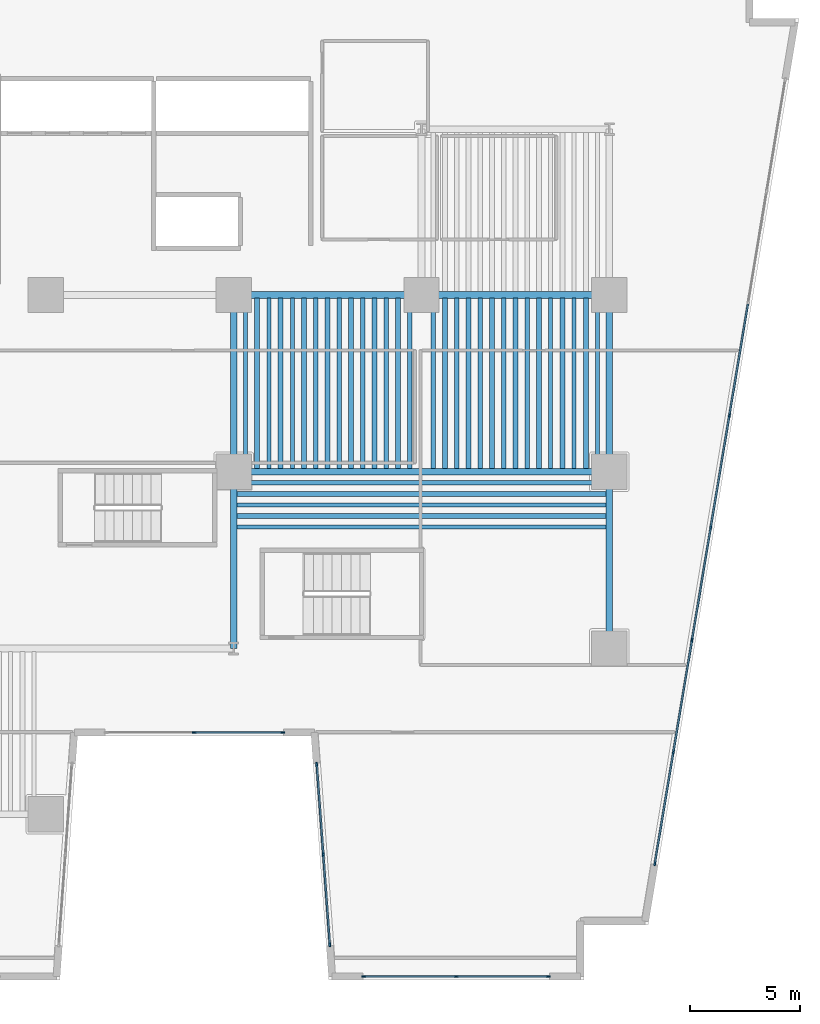
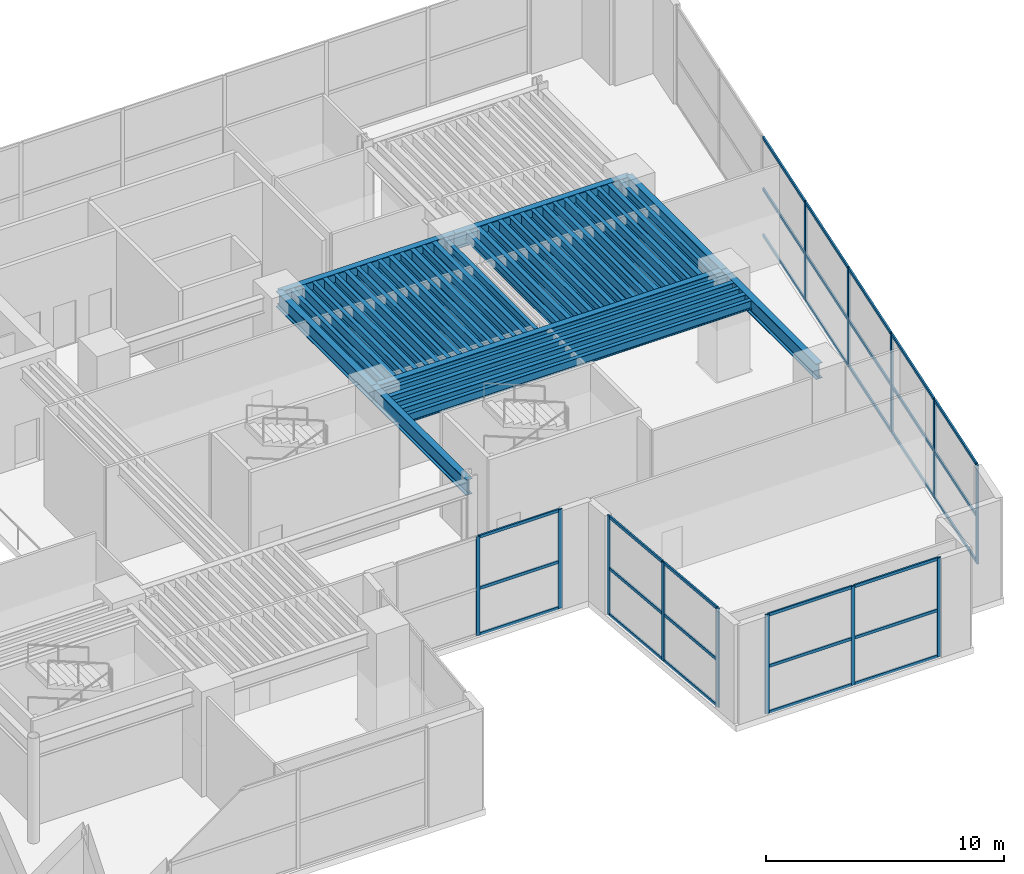
# One storey, part 4 of 17: 43 members, 42 beams, 4 elements without a shape of their own.
"""IFC4 building model written with IfcOpenShell, lengths in metres."""

from ifc_helpers import new_model, si_unit, direction, frame, origin, origin_2d, place, context, subcontext, project, spatial, rectangle, i_section, extrude, material, layer, layer_set, material_profile, profile_set, type_object, element, aggregate, save


model = new_model("IFC4")

# Units and contexts
model_context = context("Model", 3, precision=1e-05, world=origin(), true_north=direction((0.0, 1.0)))
body_context = subcontext(model_context, "Body", "Model", "MODEL_VIEW")
ifc_project = project(units=[si_unit("LENGTHUNIT", "METRE"), si_unit("AREAUNIT", "SQUARE_METRE"), si_unit("VOLUMEUNIT", "CUBIC_METRE"), si_unit("PLANEANGLEUNIT", "RADIAN"), si_unit("MASSUNIT", "GRAM", prefix="KILO")], contexts=[model_context])

# Site, building, storey
site_placement = place(None, origin())
site = spatial("IfcSite", under=ifc_project, at=site_placement, CompositionType="ELEMENT")
building_placement = place(site_placement, origin())
building = spatial("IfcBuilding", under=site, at=building_placement, Name="Caeloran Harvest Quay", CompositionType="ELEMENT")
storey_placement = place(building_placement, frame((0.0, 0.0, 5.39990234375)))
storey = spatial("IfcBuildingStorey", under=building, at=storey_placement, Name="L02", CompositionType="ELEMENT", Elevation=5.39990234375)

# Beams
ifc_material_1 = material(Name="Steel S355J2", Category="steel")
ifc_material_profile_1 = material_profile(ifc_material_1, i_section(OverallWidth=0.300048828125, OverallDepth=0.800048828125, WebThickness=0.017578125, FlangeThickness=0.032958984375, FilletRadius=0.030029296875, at=origin_2d()), Name="HE 800 B")
ifc_profile_set_1 = profile_set([ifc_material_profile_1], Name="Steel S355J2")
beam_type_1 = type_object("IfcBeamType", Name="BM-PG-1-HE_800_B", PredefinedType="BEAM", material=ifc_profile_set_1)
beam_placement = place(storey_placement, frame((34.0, 23.0, 4.68017578125), z_axis=(1.0, 0.0, 0.0), x_axis=(0.0, 1.0, 0.0)))
element("IfcBeam", 1, at=beam_placement, inside=storey, type_object=beam_type_1, Name="L02 Primary East-West Girder Y=23.0", PredefinedType="BEAM", context=body_context, shape_type="SweptSolid", body=[
    extrude(i_section(OverallWidth=0.300048828125, OverallDepth=0.800048828125, WebThickness=0.017578125, FlangeThickness=0.032958984375, FilletRadius=0.030029296875, at=origin_2d()), origin(), (0.0, 0.0, 1.0), 17.0),
])
for number, where, z_axis, x_axis, name in (
    (2, (34.0, 31.0, 4.68017578125), (1.0, 0.0, 0.0), (0.0, 1.0, 0.0), "L02 Primary East-West Girder Y=31.0"),
    (3, (42.5, 31.0, 4.68017578125), (1.0, 0.0, 0.0), (0.0, 1.0, 0.0), "L02 Primary East-West Girder Y=31.0"),
):
    element("IfcBeam", number, at=place(storey_placement, frame(where, z_axis=z_axis, x_axis=x_axis)), inside=storey, type_object=beam_type_1, Name=name, PredefinedType="BEAM", context=body_context, shape_type="SweptSolid", body=[
        extrude(i_section(OverallWidth=0.300048828125, OverallDepth=0.800048828125, WebThickness=0.017578125, FlangeThickness=0.032958984375, FilletRadius=0.030029296875, at=origin_2d()), origin(), (0.0, 0.0, 1.0), 8.5),
    ])
for number, where, z_axis, x_axis, name in (
    (4, (34.0, 15.0, 4.68017578125), (0.0, 1.0, 0.0), (-1.0, 0.0, 0.0), "L02 Primary North-South Girder X=34.0"),
    (5, (34.0, 23.0, 4.68017578125), (0.0, 1.0, 0.0), (-1.0, 0.0, 0.0), "L02 Primary North-South Girder X=34.0"),
    (6, (51.0, 15.0, 4.68017578125), (0.0, 1.0, 0.0), (-1.0, 0.0, 0.0), "L02 Primary North-South Girder X=51.0"),
    (7, (51.0, 23.0, 4.68017578125), (0.0, 1.0, 0.0), (-1.0, 0.0, 0.0), "L02 Primary North-South Girder X=51.0"),
):
    element("IfcBeam", number, at=place(storey_placement, frame(where, z_axis=z_axis, x_axis=x_axis)), inside=storey, type_object=beam_type_1, Name=name, PredefinedType="BEAM", context=body_context, shape_type="SweptSolid", body=[
        extrude(i_section(OverallWidth=0.300048828125, OverallDepth=0.800048828125, WebThickness=0.017578125, FlangeThickness=0.032958984375, FilletRadius=0.030029296875, at=origin_2d()), origin(), (0.0, 0.0, 1.0), 8.0),
    ])
ifc_material_profile_2 = material_profile(ifc_material_1, i_section(OverallWidth=0.219970703125, OverallDepth=0.60009765625, WebThickness=0.011962890625, FlangeThickness=0.01904296875, FilletRadius=0.02392578125, at=origin_2d()), Name="IPE 600")
ifc_profile_set_2 = profile_set([ifc_material_profile_2], Name="Steel S355J2")
beam_type_2 = type_object("IfcBeamType", Name="BM-SB-1-IPE_600", PredefinedType="JOIST", material=ifc_profile_set_2)
for number, where, z_axis, x_axis, name in (
    (8, (35.0625, 23.14501953125, 4.780029296875), (0.0, 1.0, 0.0), (-1.0, 0.0, 0.0), "L02 Secondary Composite Joist"),
    (9, (36.125, 23.14501953125, 4.780029296875), (0.0, 1.0, 0.0), (-1.0, 0.0, 0.0), "L02 Secondary Composite Joist"),
    (10, (37.1875, 23.14501953125, 4.780029296875), (0.0, 1.0, 0.0), (-1.0, 0.0, 0.0), "L02 Secondary Composite Joist"),
    (11, (38.25, 23.14501953125, 4.780029296875), (0.0, 1.0, 0.0), (-1.0, 0.0, 0.0), "L02 Secondary Composite Joist"),
    (12, (39.3125, 23.14501953125, 4.780029296875), (0.0, 1.0, 0.0), (-1.0, 0.0, 0.0), "L02 Secondary Composite Joist"),
    (13, (40.375, 23.14501953125, 4.780029296875), (0.0, 1.0, 0.0), (-1.0, 0.0, 0.0), "L02 Secondary Composite Joist"),
    (14, (41.4375, 23.14501953125, 4.780029296875), (0.0, 1.0, 0.0), (-1.0, 0.0, 0.0), "L02 Secondary Composite Joist"),
    (15, (43.5625, 23.14501953125, 4.780029296875), (0.0, 1.0, 0.0), (-1.0, 0.0, 0.0), "L02 Secondary Composite Joist"),
    (16, (44.625, 23.14501953125, 4.780029296875), (0.0, 1.0, 0.0), (-1.0, 0.0, 0.0), "L02 Secondary Composite Joist"),
    (17, (45.6875, 23.14501953125, 4.780029296875), (0.0, 1.0, 0.0), (-1.0, 0.0, 0.0), "L02 Secondary Composite Joist"),
    (18, (46.75, 23.14501953125, 4.780029296875), (0.0, 1.0, 0.0), (-1.0, 0.0, 0.0), "L02 Secondary Composite Joist"),
    (19, (47.8125, 23.14501953125, 4.780029296875), (0.0, 1.0, 0.0), (-1.0, 0.0, 0.0), "L02 Secondary Composite Joist"),
    (20, (48.875, 23.14501953125, 4.780029296875), (0.0, 1.0, 0.0), (-1.0, 0.0, 0.0), "L02 Secondary Composite Joist"),
    (21, (49.9375, 23.14501953125, 4.780029296875), (0.0, 1.0, 0.0), (-1.0, 0.0, 0.0), "L02 Secondary Composite Joist"),
):
    element("IfcBeam", number, at=place(storey_placement, frame(where, z_axis=z_axis, x_axis=x_axis)), inside=storey, type_object=beam_type_2, Name=name, PredefinedType="JOIST", context=body_context, shape_type="SweptSolid", body=[
        extrude(i_section(OverallWidth=0.219970703125, OverallDepth=0.60009765625, WebThickness=0.011962890625, FlangeThickness=0.01904296875, FilletRadius=0.02392578125, at=origin_2d()), origin(), (0.0, 0.0, 1.0), 7.7099609375),
    ])
for number, where, z_axis, x_axis, name in (
    (22, (34.14501953125, 21.0, 4.780029296875), (1.0, 0.0, 0.0), (0.0, 1.0, 0.0), "L02 Secondary East-West Composite Joist"),
    (23, (34.14501953125, 22.0, 4.780029296875), (1.0, 0.0, 0.0), (0.0, 1.0, 0.0), "L02 Secondary East-West Composite Joist"),
):
    element("IfcBeam", number, at=place(storey_placement, frame(where, z_axis=z_axis, x_axis=x_axis)), inside=storey, type_object=beam_type_2, Name=name, PredefinedType="JOIST", context=body_context, shape_type="SweptSolid", body=[
        extrude(i_section(OverallWidth=0.219970703125, OverallDepth=0.60009765625, WebThickness=0.011962890625, FlangeThickness=0.01904296875, FilletRadius=0.02392578125, at=origin_2d()), origin(), (0.0, 0.0, 1.0), 16.7099609375),
    ])
ifc_material_profile_3 = material_profile(ifc_material_1, i_section(OverallWidth=0.18994140625, OverallDepth=0.449951171875, WebThickness=0.009521484375, FlangeThickness=0.0146484375, FilletRadius=0.02099609375, at=origin_2d()), Name="IPE 450")
ifc_profile_set_3 = profile_set([ifc_material_profile_3], Name="Steel S355J2")
beam_type_3 = type_object("IfcBeamType", Name="BM-SB-3-IPE_450", PredefinedType="JOIST", material=ifc_profile_set_3)
for number, where, z_axis, x_axis, name in (
    (24, (34.53125, 23.14501953125, 4.85498046875), (0.0, 1.0, 0.0), (-1.0, 0.0, 0.0), "L02 Secondary Composite Joist"),
    (25, (35.59375, 23.14501953125, 4.85498046875), (0.0, 1.0, 0.0), (-1.0, 0.0, 0.0), "L02 Secondary Composite Joist"),
    (26, (36.65625, 23.14501953125, 4.85498046875), (0.0, 1.0, 0.0), (-1.0, 0.0, 0.0), "L02 Secondary Composite Joist"),
    (27, (37.71875, 23.14501953125, 4.85498046875), (0.0, 1.0, 0.0), (-1.0, 0.0, 0.0), "L02 Secondary Composite Joist"),
    (28, (38.78125, 23.14501953125, 4.85498046875), (0.0, 1.0, 0.0), (-1.0, 0.0, 0.0), "L02 Secondary Composite Joist"),
    (29, (39.84375, 23.14501953125, 4.85498046875), (0.0, 1.0, 0.0), (-1.0, 0.0, 0.0), "L02 Secondary Composite Joist"),
    (30, (40.90625, 23.14501953125, 4.85498046875), (0.0, 1.0, 0.0), (-1.0, 0.0, 0.0), "L02 Secondary Composite Joist"),
    (31, (41.96875, 23.14501953125, 4.85498046875), (0.0, 1.0, 0.0), (-1.0, 0.0, 0.0), "L02 Secondary Composite Joist"),
    (32, (43.03125, 23.14501953125, 4.85498046875), (0.0, 1.0, 0.0), (-1.0, 0.0, 0.0), "L02 Secondary Composite Joist"),
    (33, (44.09375, 23.14501953125, 4.85498046875), (0.0, 1.0, 0.0), (-1.0, 0.0, 0.0), "L02 Secondary Composite Joist"),
    (34, (45.15625, 23.14501953125, 4.85498046875), (0.0, 1.0, 0.0), (-1.0, 0.0, 0.0), "L02 Secondary Composite Joist"),
    (35, (46.21875, 23.14501953125, 4.85498046875), (0.0, 1.0, 0.0), (-1.0, 0.0, 0.0), "L02 Secondary Composite Joist"),
    (36, (47.28125, 23.14501953125, 4.85498046875), (0.0, 1.0, 0.0), (-1.0, 0.0, 0.0), "L02 Secondary Composite Joist"),
    (37, (48.34375, 23.14501953125, 4.85498046875), (0.0, 1.0, 0.0), (-1.0, 0.0, 0.0), "L02 Secondary Composite Joist"),
    (38, (49.40625, 23.14501953125, 4.85498046875), (0.0, 1.0, 0.0), (-1.0, 0.0, 0.0), "L02 Secondary Composite Joist"),
    (39, (50.46875, 23.14501953125, 4.85498046875), (0.0, 1.0, 0.0), (-1.0, 0.0, 0.0), "L02 Secondary Composite Joist"),
):
    element("IfcBeam", number, at=place(storey_placement, frame(where, z_axis=z_axis, x_axis=x_axis)), inside=storey, type_object=beam_type_3, Name=name, PredefinedType="JOIST", context=body_context, shape_type="SweptSolid", body=[
        extrude(i_section(OverallWidth=0.18994140625, OverallDepth=0.449951171875, WebThickness=0.009521484375, FlangeThickness=0.0146484375, FilletRadius=0.02099609375, at=origin_2d()), origin(), (0.0, 0.0, 1.0), 7.7099609375),
    ])
for number, where, z_axis, x_axis, name in (
    (40, (34.14501953125, 20.5, 4.85498046875), (1.0, 0.0, 0.0), (0.0, 1.0, 0.0), "L02 Secondary East-West Composite Joist"),
    (41, (34.14501953125, 21.5, 4.85498046875), (1.0, 0.0, 0.0), (0.0, 1.0, 0.0), "L02 Secondary East-West Composite Joist"),
    (42, (34.14501953125, 22.5, 4.85498046875), (1.0, 0.0, 0.0), (0.0, 1.0, 0.0), "L02 Secondary East-West Composite Joist"),
):
    element("IfcBeam", number, at=place(storey_placement, frame(where, z_axis=z_axis, x_axis=x_axis)), inside=storey, type_object=beam_type_3, Name=name, PredefinedType="JOIST", context=body_context, shape_type="SweptSolid", body=[
        extrude(i_section(OverallWidth=0.18994140625, OverallDepth=0.449951171875, WebThickness=0.009521484375, FlangeThickness=0.0146484375, FilletRadius=0.02099609375, at=origin_2d()), origin(), (0.0, 0.0, 1.0), 16.7099609375),
    ])

# Curtain wall, members
ifc_material_2 = material(Name="Aluminium 6063-T6 and Low-E Glazing", Category="aluminium")
ifc_layer = layer(ifc_material_2, 0.179931640625, Name="Aluminium 6063-T6 and Low-E Glazing")
ifc_layer_set = layer_set([ifc_layer], Name="Aluminium 6063-T6 and Low-E Glazing")
curtain_wall_type = type_object("IfcCurtainWallType", Name="CW-SYS-CW-1", PredefinedType="USERDEFINED", material=ifc_layer_set)
curtain_wall_1_placement = place(storey_placement, origin())
curtain_wall_1 = element("IfcCurtainWall", 43, at=curtain_wall_1_placement, inside=storey, type_object=curtain_wall_type, Name="L02 Unitised Curtain Wall CW-1 Run 9", ObjectType="CURTAIN_WALL", PredefinedType="USERDEFINED")
ifc_material_3 = material(Name="Aluminium 6063-T6", Category="aluminium")
ifc_material_profile_4 = material_profile(ifc_material_3, rectangle(XDim=0.080078125, YDim=0.179931640625, at=origin_2d()), Name="CW-MULLION-180")
ifc_profile_set_4 = profile_set([ifc_material_profile_4], Name="Aluminium 6063-T6")
member_type_1 = type_object("IfcMemberType", Name="CW-MULLION-180", PredefinedType="MULLION", material=ifc_profile_set_4)
member_1_placement = place(storey_placement, frame((56.432373046875, 25.539306640625, 0.0), z_axis=(0.0, 0.0, 1.0), x_axis=(0.986431244674, -0.164174905304, 0.0)))
member_1 = element("IfcMember", 44, at=member_1_placement, type_object=member_type_1, Name="CW-1 mullion 4", PredefinedType="MULLION", context=body_context, shape_type="SweptSolid", body=[
    extrude(rectangle(XDim=0.080078125, YDim=0.179931640625, at=origin_2d()), origin(), (0.0, 0.0, 1.0), 5.080078125),
])
member_2_placement = place(storey_placement, frame((55.587158203125, 20.460693359375, 0.0), z_axis=(0.0, 0.0, 1.0), x_axis=(0.986431244674, -0.164174905304, 0.0)))
member_2 = element("IfcMember", 45, at=member_2_placement, type_object=member_type_1, Name="CW-1 mullion 5", PredefinedType="MULLION", context=body_context, shape_type="SweptSolid", body=[
    extrude(rectangle(XDim=0.080078125, YDim=0.179931640625, at=origin_2d()), origin(), (0.0, 0.0, 1.0), 5.080078125),
])
member_3_placement = place(storey_placement, frame((54.741943359375, 15.382080078125, 0.0), z_axis=(0.0, 0.0, 1.0), x_axis=(0.986431244674, -0.164174905304, 0.0)))
member_3 = element("IfcMember", 46, at=member_3_placement, type_object=member_type_1, Name="CW-1 mullion 6", PredefinedType="MULLION", context=body_context, shape_type="SweptSolid", body=[
    extrude(rectangle(XDim=0.080078125, YDim=0.179931640625, at=origin_2d()), origin(), (0.0, 0.0, 1.0), 5.080078125),
])
member_4_placement = place(storey_placement, frame((53.896728515625, 10.303466796875, 0.0), z_axis=(0.0, 0.0, 1.0), x_axis=(0.986431244674, -0.164174905304, 0.0)))
member_4 = element("IfcMember", 47, at=member_4_placement, type_object=member_type_1, Name="CW-1 mullion 7", PredefinedType="MULLION", context=body_context, shape_type="SweptSolid", body=[
    extrude(rectangle(XDim=0.080078125, YDim=0.179931640625, at=origin_2d()), origin(), (0.0, 0.0, 1.0), 5.080078125),
])
member_5_placement = place(storey_placement, frame((53.057861328125, 5.26416015625, 0.0), z_axis=(0.0, 0.0, 1.0), x_axis=(0.986431244674, -0.164174905304, 0.0)))
member_5 = element("IfcMember", 48, at=member_5_placement, type_object=member_type_1, Name="CW-1 mullion 8", PredefinedType="MULLION", context=body_context, shape_type="SweptSolid", body=[
    extrude(rectangle(XDim=0.080078125, YDim=0.179931640625, at=origin_2d()), origin(), (0.0, 0.0, 1.0), 5.080078125),
])

curtain_wall_2_placement = place(storey_placement, origin())
curtain_wall_2 = element("IfcCurtainWall", 49, at=curtain_wall_2_placement, inside=storey, type_object=curtain_wall_type, Name="L02 Unitised Curtain Wall CW-1 Run 12", ObjectType="CURTAIN_WALL", PredefinedType="USERDEFINED")
member_6_placement = place(storey_placement, frame((48.243896484375, 0.159912109375, 0.0), z_axis=(0.0, 0.0, 1.0), x_axis=(0.0, -1.0, 0.0)))
member_6 = element("IfcMember", 50, at=member_6_placement, type_object=member_type_1, Name="CW-1 mullion 1", PredefinedType="MULLION", context=body_context, shape_type="SweptSolid", body=[
    extrude(rectangle(XDim=0.080078125, YDim=0.179931640625, at=origin_2d()), origin(), (0.0, 0.0, 1.0), 5.080078125),
])
member_7_placement = place(storey_placement, frame((44.068359375, 0.159912109375, 0.0), z_axis=(0.0, 0.0, 1.0), x_axis=(0.0, -1.0, 0.0)))
member_7 = element("IfcMember", 51, at=member_7_placement, type_object=member_type_1, Name="CW-1 mullion 2", PredefinedType="MULLION", context=body_context, shape_type="SweptSolid", body=[
    extrude(rectangle(XDim=0.080078125, YDim=0.179931640625, at=origin_2d()), origin(), (0.0, 0.0, 1.0), 5.080078125),
])
member_8_placement = place(storey_placement, frame((39.892822265625, 0.159912109375, 0.0), z_axis=(0.0, 0.0, 1.0), x_axis=(0.0, -1.0, 0.0)))
member_8 = element("IfcMember", 52, at=member_8_placement, type_object=member_type_1, Name="CW-1 mullion 3", PredefinedType="MULLION", context=body_context, shape_type="SweptSolid", body=[
    extrude(rectangle(XDim=0.080078125, YDim=0.179931640625, at=origin_2d()), origin(), (0.0, 0.0, 1.0), 5.080078125),
])

curtain_wall_3_placement = place(storey_placement, origin())
curtain_wall_3 = element("IfcCurtainWall", 53, at=curtain_wall_3_placement, inside=storey, type_object=curtain_wall_type, Name="L02 Unitised Curtain Wall CW-1 Run 13", ObjectType="CURTAIN_WALL", PredefinedType="USERDEFINED")
member_9_placement = place(storey_placement, frame((38.3486328125, 1.59619140625, 0.0), z_axis=(0.0, 0.0, 1.0), x_axis=(-0.997385061295, -0.072270599173, 0.0)))
member_9 = element("IfcMember", 54, at=member_9_placement, type_object=member_type_1, Name="CW-1 mullion 1", PredefinedType="MULLION", context=body_context, shape_type="SweptSolid", body=[
    extrude(rectangle(XDim=0.080078125, YDim=0.179931640625, at=origin_2d()), origin(), (0.0, 0.0, 1.0), 5.080078125),
])
member_10_placement = place(storey_placement, frame((38.052734375, 5.679931640625, 0.0), z_axis=(0.0, 0.0, 1.0), x_axis=(-0.997385061295, -0.072270599173, 0.0)))
member_10 = element("IfcMember", 55, at=member_10_placement, type_object=member_type_1, Name="CW-1 mullion 2", PredefinedType="MULLION", context=body_context, shape_type="SweptSolid", body=[
    extrude(rectangle(XDim=0.080078125, YDim=0.179931640625, at=origin_2d()), origin(), (0.0, 0.0, 1.0), 5.080078125),
])
member_11_placement = place(storey_placement, frame((37.7568359375, 9.763671875, 0.0), z_axis=(0.0, 0.0, 1.0), x_axis=(-0.997385061295, -0.072270599173, 0.0)))
member_11 = element("IfcMember", 56, at=member_11_placement, type_object=member_type_1, Name="CW-1 mullion 3", PredefinedType="MULLION", context=body_context, shape_type="SweptSolid", body=[
    extrude(rectangle(XDim=0.080078125, YDim=0.179931640625, at=origin_2d()), origin(), (0.0, 0.0, 1.0), 5.080078125),
])

curtain_wall_4_placement = place(storey_placement, origin())
curtain_wall_4 = element("IfcCurtainWall", 57, at=curtain_wall_4_placement, inside=storey, type_object=curtain_wall_type, Name="L02 Unitised Curtain Wall CW-1 Run 14", ObjectType="CURTAIN_WALL", PredefinedType="USERDEFINED")
member_12_placement = place(storey_placement, frame((36.212890625, 11.199951171875, 0.0), z_axis=(0.0, 0.0, 1.0), x_axis=(0.0, -1.0, 0.0)))
member_12 = element("IfcMember", 58, at=member_12_placement, type_object=member_type_1, Name="CW-1 mullion 1", PredefinedType="MULLION", context=body_context, shape_type="SweptSolid", body=[
    extrude(rectangle(XDim=0.080078125, YDim=0.179931640625, at=origin_2d()), origin(), (0.0, 0.0, 1.0), 5.080078125),
])
member_13_placement = place(storey_placement, frame((32.219970703125, 11.199951171875, 0.0), z_axis=(0.0, 0.0, 1.0), x_axis=(0.0, -1.0, 0.0)))
member_13 = element("IfcMember", 59, at=member_13_placement, type_object=member_type_1, Name="CW-1 mullion 2", PredefinedType="MULLION", context=body_context, shape_type="SweptSolid", body=[
    extrude(rectangle(XDim=0.080078125, YDim=0.179931640625, at=origin_2d()), origin(), (0.0, 0.0, 1.0), 5.080078125),
])

# Member
ifc_material_profile_5 = material_profile(ifc_material_3, rectangle(XDim=0.080078125, YDim=0.14990234375, at=origin_2d()), Name="CW-TRANSOM-150")
ifc_profile_set_5 = profile_set([ifc_material_profile_5], Name="Aluminium 6063-T6")
member_type_2 = type_object("IfcMemberType", Name="CW-TRANSOM-150", PredefinedType="USERDEFINED", material=ifc_profile_set_5)
member_14_placement = place(storey_placement, frame((57.271240234375, 30.57861328125, 0.0400390625), z_axis=(-0.1642037096, -0.98642645025, 0.0), x_axis=(0.98642645025, -0.1642037096, 0.0)))
member_14 = element("IfcMember", 60, at=member_14_placement, type_object=member_type_2, Name="CW-1 transom 3.1", ObjectType="TRANSOM", PredefinedType="USERDEFINED", context=body_context, shape_type="SweptSolid", body=[
    extrude(rectangle(XDim=0.080078125, YDim=0.14990234375, at=origin_2d()), origin(), (0.0, 0.0, 1.0), 5.068603515625),
])

member_15_placement = place(storey_placement, frame((57.271240234375, 30.57861328125, 2.400146484375), z_axis=(-0.1642037096, -0.98642645025, 0.0), x_axis=(0.98642645025, -0.1642037096, 0.0)))
member_15 = element("IfcMember", 61, at=member_15_placement, type_object=member_type_2, Name="CW-1 transom 3.2", ObjectType="TRANSOM", PredefinedType="USERDEFINED", context=body_context, shape_type="SweptSolid", body=[
    extrude(rectangle(XDim=0.080078125, YDim=0.14990234375, at=origin_2d()), origin(), (0.0, 0.0, 1.0), 5.068603515625),
])

member_16_placement = place(storey_placement, frame((57.271240234375, 30.57861328125, 5.0400390625), z_axis=(-0.1642037096, -0.98642645025, 0.0), x_axis=(0.98642645025, -0.1642037096, 0.0)))
member_16 = element("IfcMember", 62, at=member_16_placement, type_object=member_type_2, Name="CW-1 transom 3.3", ObjectType="TRANSOM", PredefinedType="USERDEFINED", context=body_context, shape_type="SweptSolid", body=[
    extrude(rectangle(XDim=0.080078125, YDim=0.14990234375, at=origin_2d()), origin(), (0.0, 0.0, 1.0), 5.068603515625),
])

member_17_placement = place(storey_placement, frame((56.42578125, 25.499755859375, 0.0400390625), z_axis=(-0.164164640298, -0.986432953057, 0.0), x_axis=(0.986432953057, -0.164164640298, 0.0)))
member_17 = element("IfcMember", 63, at=member_17_placement, type_object=member_type_2, Name="CW-1 transom 4.1", ObjectType="TRANSOM", PredefinedType="USERDEFINED", context=body_context, shape_type="SweptSolid", body=[
    extrude(rectangle(XDim=0.080078125, YDim=0.14990234375, at=origin_2d()), origin(), (0.0, 0.0, 1.0), 5.068359375),
])

member_18_placement = place(storey_placement, frame((56.42578125, 25.499755859375, 2.400146484375), z_axis=(-0.164164640298, -0.986432953057, 0.0), x_axis=(0.986432953057, -0.164164640298, 0.0)))
member_18 = element("IfcMember", 64, at=member_18_placement, type_object=member_type_2, Name="CW-1 transom 4.2", ObjectType="TRANSOM", PredefinedType="USERDEFINED", context=body_context, shape_type="SweptSolid", body=[
    extrude(rectangle(XDim=0.080078125, YDim=0.14990234375, at=origin_2d()), origin(), (0.0, 0.0, 1.0), 5.068359375),
])

member_19_placement = place(storey_placement, frame((56.42578125, 25.499755859375, 5.0400390625), z_axis=(-0.164164640298, -0.986432953057, 0.0), x_axis=(0.986432953057, -0.164164640298, 0.0)))
member_19 = element("IfcMember", 65, at=member_19_placement, type_object=member_type_2, Name="CW-1 transom 4.3", ObjectType="TRANSOM", PredefinedType="USERDEFINED", context=body_context, shape_type="SweptSolid", body=[
    extrude(rectangle(XDim=0.080078125, YDim=0.14990234375, at=origin_2d()), origin(), (0.0, 0.0, 1.0), 5.068359375),
])

member_20_placement = place(storey_placement, frame((55.58056640625, 20.421142578125, 0.0400390625), z_axis=(-0.164156840077, -0.986434251157, 0.0), x_axis=(0.986434251157, -0.164156840077, 0.0)))
member_20 = element("IfcMember", 66, at=member_20_placement, type_object=member_type_2, Name="CW-1 transom 5.1", ObjectType="TRANSOM", PredefinedType="USERDEFINED", context=body_context, shape_type="SweptSolid", body=[
    extrude(rectangle(XDim=0.080078125, YDim=0.14990234375, at=origin_2d()), origin(), (0.0, 0.0, 1.0), 5.068603515625),
])

member_21_placement = place(storey_placement, frame((55.58056640625, 20.421142578125, 2.400146484375), z_axis=(-0.164156840077, -0.986434251157, 0.0), x_axis=(0.986434251157, -0.164156840077, 0.0)))
member_21 = element("IfcMember", 67, at=member_21_placement, type_object=member_type_2, Name="CW-1 transom 5.2", ObjectType="TRANSOM", PredefinedType="USERDEFINED", context=body_context, shape_type="SweptSolid", body=[
    extrude(rectangle(XDim=0.080078125, YDim=0.14990234375, at=origin_2d()), origin(), (0.0, 0.0, 1.0), 5.068603515625),
])

member_22_placement = place(storey_placement, frame((55.58056640625, 20.421142578125, 5.0400390625), z_axis=(-0.164156840077, -0.986434251157, 0.0), x_axis=(0.986434251157, -0.164156840077, 0.0)))
member_22 = element("IfcMember", 68, at=member_22_placement, type_object=member_type_2, Name="CW-1 transom 5.3", ObjectType="TRANSOM", PredefinedType="USERDEFINED", context=body_context, shape_type="SweptSolid", body=[
    extrude(rectangle(XDim=0.080078125, YDim=0.14990234375, at=origin_2d()), origin(), (0.0, 0.0, 1.0), 5.068603515625),
])

member_23_placement = place(storey_placement, frame((54.7353515625, 15.342529296875, 0.0400390625), z_axis=(-0.164156840077, -0.986434251157, 0.0), x_axis=(0.986434251157, -0.164156840077, 0.0)))
member_23 = element("IfcMember", 69, at=member_23_placement, type_object=member_type_2, Name="CW-1 transom 6.1", ObjectType="TRANSOM", PredefinedType="USERDEFINED", context=body_context, shape_type="SweptSolid", body=[
    extrude(rectangle(XDim=0.080078125, YDim=0.14990234375, at=origin_2d()), origin(), (0.0, 0.0, 1.0), 5.068603515625),
])

member_24_placement = place(storey_placement, frame((54.7353515625, 15.342529296875, 2.400146484375), z_axis=(-0.164156840077, -0.986434251157, 0.0), x_axis=(0.986434251157, -0.164156840077, 0.0)))
member_24 = element("IfcMember", 70, at=member_24_placement, type_object=member_type_2, Name="CW-1 transom 6.2", ObjectType="TRANSOM", PredefinedType="USERDEFINED", context=body_context, shape_type="SweptSolid", body=[
    extrude(rectangle(XDim=0.080078125, YDim=0.14990234375, at=origin_2d()), origin(), (0.0, 0.0, 1.0), 5.068603515625),
])

member_25_placement = place(storey_placement, frame((54.7353515625, 15.342529296875, 5.0400390625), z_axis=(-0.164156840077, -0.986434251157, 0.0), x_axis=(0.986434251157, -0.164156840077, 0.0)))
member_25 = element("IfcMember", 71, at=member_25_placement, type_object=member_type_2, Name="CW-1 transom 6.3", ObjectType="TRANSOM", PredefinedType="USERDEFINED", context=body_context, shape_type="SweptSolid", body=[
    extrude(rectangle(XDim=0.080078125, YDim=0.14990234375, at=origin_2d()), origin(), (0.0, 0.0, 1.0), 5.068603515625),
])

member_26_placement = place(storey_placement, frame((53.89013671875, 10.263916015625, 0.0400390625), z_axis=(-0.164202152453, -0.986426709457, 0.0), x_axis=(0.986426709457, -0.164202152453, 0.0)))
member_26 = element("IfcMember", 72, at=member_26_placement, type_object=member_type_2, Name="CW-1 transom 7.1", ObjectType="TRANSOM", PredefinedType="USERDEFINED", context=body_context, shape_type="SweptSolid", body=[
    extrude(rectangle(XDim=0.080078125, YDim=0.14990234375, at=origin_2d()), origin(), (0.0, 0.0, 1.0), 5.028564453125),
])

member_27_placement = place(storey_placement, frame((53.89013671875, 10.263916015625, 2.400146484375), z_axis=(-0.164202152453, -0.986426709457, 0.0), x_axis=(0.986426709457, -0.164202152453, 0.0)))
member_27 = element("IfcMember", 73, at=member_27_placement, type_object=member_type_2, Name="CW-1 transom 7.2", ObjectType="TRANSOM", PredefinedType="USERDEFINED", context=body_context, shape_type="SweptSolid", body=[
    extrude(rectangle(XDim=0.080078125, YDim=0.14990234375, at=origin_2d()), origin(), (0.0, 0.0, 1.0), 5.028564453125),
])

member_28_placement = place(storey_placement, frame((53.89013671875, 10.263916015625, 5.0400390625), z_axis=(-0.164202152453, -0.986426709457, 0.0), x_axis=(0.986426709457, -0.164202152453, 0.0)))
member_28 = element("IfcMember", 74, at=member_28_placement, type_object=member_type_2, Name="CW-1 transom 7.3", ObjectType="TRANSOM", PredefinedType="USERDEFINED", context=body_context, shape_type="SweptSolid", body=[
    extrude(rectangle(XDim=0.080078125, YDim=0.14990234375, at=origin_2d()), origin(), (0.0, 0.0, 1.0), 5.028564453125),
])

aggregate(curtain_wall_1, [member_1, member_2, member_3, member_4, member_5, member_14, member_15, member_16, member_17, member_18, member_19, member_20, member_21, member_22, member_23, member_24, member_25, member_26, member_27, member_28])

member_29_placement = place(storey_placement, frame((48.2041015625, 0.159912109375, 0.0400390625), z_axis=(-1.0, 0.0, 0.0), x_axis=(0.0, -1.0, 0.0)))
member_29 = element("IfcMember", 75, at=member_29_placement, type_object=member_type_2, Name="CW-1 transom 1.1", ObjectType="TRANSOM", PredefinedType="USERDEFINED", context=body_context, shape_type="SweptSolid", body=[
    extrude(rectangle(XDim=0.080078125, YDim=0.14990234375, at=origin_2d()), origin(), (0.0, 0.0, 1.0), 4.095703125),
])

member_30_placement = place(storey_placement, frame((48.2041015625, 0.159912109375, 2.400146484375), z_axis=(-1.0, 0.0, 0.0), x_axis=(0.0, -1.0, 0.0)))
member_30 = element("IfcMember", 76, at=member_30_placement, type_object=member_type_2, Name="CW-1 transom 1.2", ObjectType="TRANSOM", PredefinedType="USERDEFINED", context=body_context, shape_type="SweptSolid", body=[
    extrude(rectangle(XDim=0.080078125, YDim=0.14990234375, at=origin_2d()), origin(), (0.0, 0.0, 1.0), 4.095703125),
])

member_31_placement = place(storey_placement, frame((48.2041015625, 0.159912109375, 5.0400390625), z_axis=(-1.0, 0.0, 0.0), x_axis=(0.0, -1.0, 0.0)))
member_31 = element("IfcMember", 77, at=member_31_placement, type_object=member_type_2, Name="CW-1 transom 1.3", ObjectType="TRANSOM", PredefinedType="USERDEFINED", context=body_context, shape_type="SweptSolid", body=[
    extrude(rectangle(XDim=0.080078125, YDim=0.14990234375, at=origin_2d()), origin(), (0.0, 0.0, 1.0), 4.095703125),
])

member_32_placement = place(storey_placement, frame((44.0283203125, 0.159912109375, 0.0400390625), z_axis=(-1.0, 0.0, 0.0), x_axis=(0.0, -1.0, 0.0)))
member_32 = element("IfcMember", 78, at=member_32_placement, type_object=member_type_2, Name="CW-1 transom 2.1", ObjectType="TRANSOM", PredefinedType="USERDEFINED", context=body_context, shape_type="SweptSolid", body=[
    extrude(rectangle(XDim=0.080078125, YDim=0.14990234375, at=origin_2d()), origin(), (0.0, 0.0, 1.0), 4.095458984375),
])

member_33_placement = place(storey_placement, frame((44.0283203125, 0.159912109375, 2.400146484375), z_axis=(-1.0, 0.0, 0.0), x_axis=(0.0, -1.0, 0.0)))
member_33 = element("IfcMember", 79, at=member_33_placement, type_object=member_type_2, Name="CW-1 transom 2.2", ObjectType="TRANSOM", PredefinedType="USERDEFINED", context=body_context, shape_type="SweptSolid", body=[
    extrude(rectangle(XDim=0.080078125, YDim=0.14990234375, at=origin_2d()), origin(), (0.0, 0.0, 1.0), 4.095458984375),
])

member_34_placement = place(storey_placement, frame((44.0283203125, 0.159912109375, 5.0400390625), z_axis=(-1.0, 0.0, 0.0), x_axis=(0.0, -1.0, 0.0)))
member_34 = element("IfcMember", 80, at=member_34_placement, type_object=member_type_2, Name="CW-1 transom 2.3", ObjectType="TRANSOM", PredefinedType="USERDEFINED", context=body_context, shape_type="SweptSolid", body=[
    extrude(rectangle(XDim=0.080078125, YDim=0.14990234375, at=origin_2d()), origin(), (0.0, 0.0, 1.0), 4.095458984375),
])

aggregate(curtain_wall_2, [member_6, member_7, member_8, member_29, member_30, member_31, member_32, member_33, member_34])

member_35_placement = place(storey_placement, frame((38.345703125, 1.635986328125, 0.0400390625), z_axis=(-0.072245328201, 0.99738689211, 0.0), x_axis=(-0.99738689211, -0.072245328201, 0.0)))
member_35 = element("IfcMember", 81, at=member_35_placement, type_object=member_type_2, Name="CW-1 transom 1.1", ObjectType="TRANSOM", PredefinedType="USERDEFINED", context=body_context, shape_type="SweptSolid", body=[
    extrude(rectangle(XDim=0.080078125, YDim=0.14990234375, at=origin_2d()), origin(), (0.0, 0.0, 1.0), 4.0146484375),
])

member_36_placement = place(storey_placement, frame((38.345703125, 1.635986328125, 2.400146484375), z_axis=(-0.072245328201, 0.99738689211, 0.0), x_axis=(-0.99738689211, -0.072245328201, 0.0)))
member_36 = element("IfcMember", 82, at=member_36_placement, type_object=member_type_2, Name="CW-1 transom 1.2", ObjectType="TRANSOM", PredefinedType="USERDEFINED", context=body_context, shape_type="SweptSolid", body=[
    extrude(rectangle(XDim=0.080078125, YDim=0.14990234375, at=origin_2d()), origin(), (0.0, 0.0, 1.0), 4.0146484375),
])

member_37_placement = place(storey_placement, frame((38.345703125, 1.635986328125, 5.0400390625), z_axis=(-0.072245328201, 0.99738689211, 0.0), x_axis=(-0.99738689211, -0.072245328201, 0.0)))
member_37 = element("IfcMember", 83, at=member_37_placement, type_object=member_type_2, Name="CW-1 transom 1.3", ObjectType="TRANSOM", PredefinedType="USERDEFINED", context=body_context, shape_type="SweptSolid", body=[
    extrude(rectangle(XDim=0.080078125, YDim=0.14990234375, at=origin_2d()), origin(), (0.0, 0.0, 1.0), 4.0146484375),
])

member_38_placement = place(storey_placement, frame((38.0498046875, 5.7197265625, 0.0400390625), z_axis=(-0.072245328201, 0.99738689211, 0.0), x_axis=(-0.99738689211, -0.072245328201, 0.0)))
member_38 = element("IfcMember", 84, at=member_38_placement, type_object=member_type_2, Name="CW-1 transom 2.1", ObjectType="TRANSOM", PredefinedType="USERDEFINED", context=body_context, shape_type="SweptSolid", body=[
    extrude(rectangle(XDim=0.080078125, YDim=0.14990234375, at=origin_2d()), origin(), (0.0, 0.0, 1.0), 4.0146484375),
])

member_39_placement = place(storey_placement, frame((38.0498046875, 5.7197265625, 2.400146484375), z_axis=(-0.072245328201, 0.99738689211, 0.0), x_axis=(-0.99738689211, -0.072245328201, 0.0)))
member_39 = element("IfcMember", 85, at=member_39_placement, type_object=member_type_2, Name="CW-1 transom 2.2", ObjectType="TRANSOM", PredefinedType="USERDEFINED", context=body_context, shape_type="SweptSolid", body=[
    extrude(rectangle(XDim=0.080078125, YDim=0.14990234375, at=origin_2d()), origin(), (0.0, 0.0, 1.0), 4.0146484375),
])

member_40_placement = place(storey_placement, frame((38.0498046875, 5.7197265625, 5.0400390625), z_axis=(-0.072245328201, 0.99738689211, 0.0), x_axis=(-0.99738689211, -0.072245328201, 0.0)))
member_40 = element("IfcMember", 86, at=member_40_placement, type_object=member_type_2, Name="CW-1 transom 2.3", ObjectType="TRANSOM", PredefinedType="USERDEFINED", context=body_context, shape_type="SweptSolid", body=[
    extrude(rectangle(XDim=0.080078125, YDim=0.14990234375, at=origin_2d()), origin(), (0.0, 0.0, 1.0), 4.0146484375),
])

aggregate(curtain_wall_3, [member_9, member_10, member_11, member_35, member_36, member_37, member_38, member_39, member_40])

member_41_placement = place(storey_placement, frame((36.1728515625, 11.199951171875, 0.0400390625), z_axis=(-1.0, 0.0, 0.0), x_axis=(0.0, -1.0, 0.0)))
member_41 = element("IfcMember", 87, at=member_41_placement, type_object=member_type_2, Name="CW-1 transom 1.1", ObjectType="TRANSOM", PredefinedType="USERDEFINED", context=body_context, shape_type="SweptSolid", body=[
    extrude(rectangle(XDim=0.080078125, YDim=0.14990234375, at=origin_2d()), origin(), (0.0, 0.0, 1.0), 3.912841796875),
])

member_42_placement = place(storey_placement, frame((36.1728515625, 11.199951171875, 2.400146484375), z_axis=(-1.0, 0.0, 0.0), x_axis=(0.0, -1.0, 0.0)))
member_42 = element("IfcMember", 88, at=member_42_placement, type_object=member_type_2, Name="CW-1 transom 1.2", ObjectType="TRANSOM", PredefinedType="USERDEFINED", context=body_context, shape_type="SweptSolid", body=[
    extrude(rectangle(XDim=0.080078125, YDim=0.14990234375, at=origin_2d()), origin(), (0.0, 0.0, 1.0), 3.912841796875),
])

member_43_placement = place(storey_placement, frame((36.1728515625, 11.199951171875, 5.0400390625), z_axis=(-1.0, 0.0, 0.0), x_axis=(0.0, -1.0, 0.0)))
member_43 = element("IfcMember", 89, at=member_43_placement, type_object=member_type_2, Name="CW-1 transom 1.3", ObjectType="TRANSOM", PredefinedType="USERDEFINED", context=body_context, shape_type="SweptSolid", body=[
    extrude(rectangle(XDim=0.080078125, YDim=0.14990234375, at=origin_2d()), origin(), (0.0, 0.0, 1.0), 3.912841796875),
])

aggregate(curtain_wall_4, [member_12, member_13, member_41, member_42, member_43])

save(model, "model.ifc")
